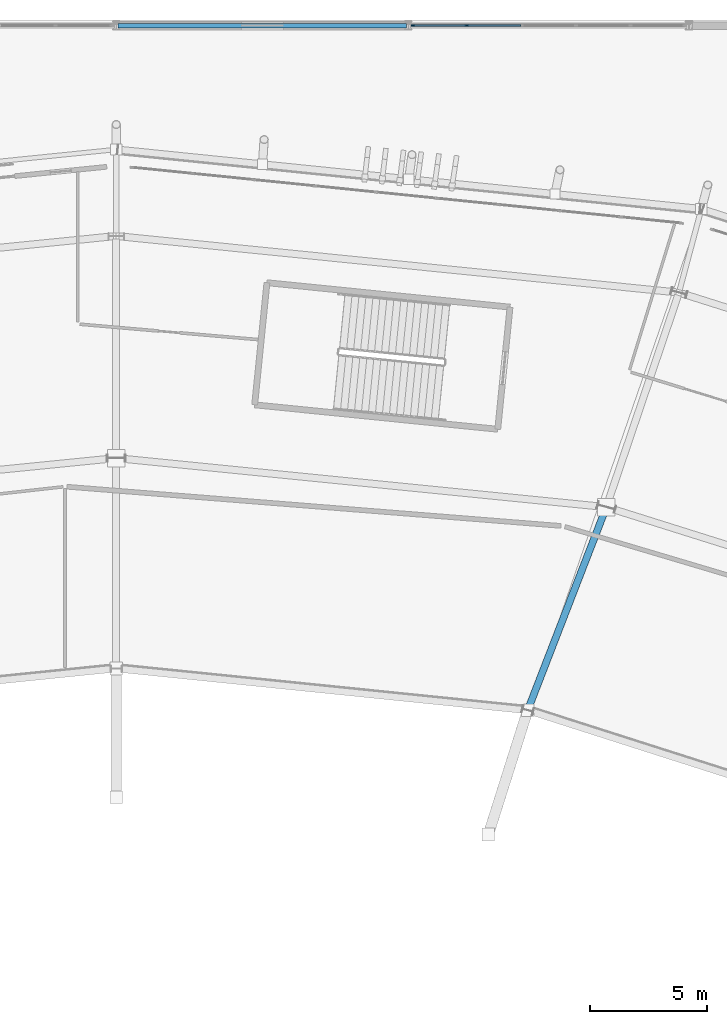
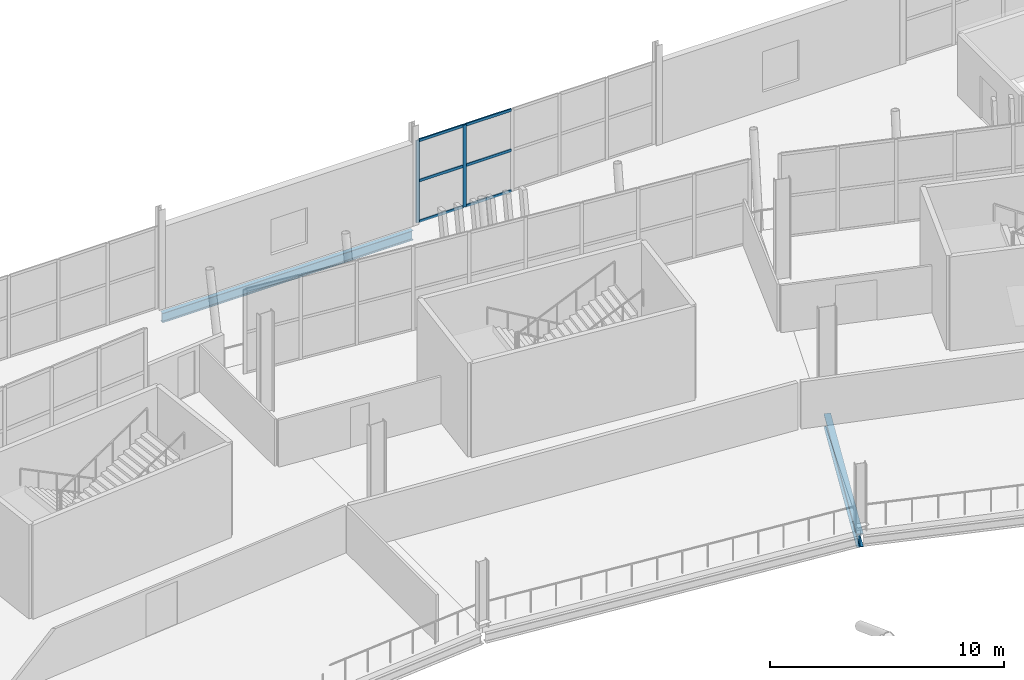
# One storey, part 74 of 168: 8 members, 2 beams, 1 element without a shape of its own.
"""IFC4 building model written with IfcOpenShell, lengths in metres."""

from ifc_helpers import new_model, si_unit, direction, frame, origin, origin_2d, place, context, subcontext, project, spatial, rectangle, i_section, extrude, material, material_profile, profile_set, type_object, element, aggregate, save


model = new_model("IFC4")

# Units and contexts
model_context = context("Model", 3, precision=1e-05, world=origin(), true_north=direction((0.0, 1.0)))
body_context = subcontext(model_context, "Body", "Model", "MODEL_VIEW")
ifc_project = project(units=[si_unit("LENGTHUNIT", "METRE"), si_unit("AREAUNIT", "SQUARE_METRE"), si_unit("VOLUMEUNIT", "CUBIC_METRE"), si_unit("PLANEANGLEUNIT", "RADIAN"), si_unit("MASSUNIT", "GRAM", prefix="KILO")], contexts=[model_context])

# Site, building, storey
site_placement = place(None, origin())
site = spatial("IfcSite", under=ifc_project, at=site_placement, CompositionType="ELEMENT")
building_placement = place(site_placement, origin())
building = spatial("IfcBuilding", under=site, at=building_placement, Name="Zlatoyarsky Gate Stadium", CompositionType="ELEMENT")
storey_placement = place(building_placement, frame((0.0, 0.0, 15.60009765625)))
storey = spatial("IfcBuildingStorey", under=building, at=storey_placement, Name="L03", CompositionType="ELEMENT", Elevation=15.60009765625)

# Curtain wall, members
ifc_material_1 = material(Name="Thermally broken anodised aluminium curtain wall", Category="aluminium")
curtain_wall_type = type_object("IfcCurtainWallType", Name="WINTER GARDEN CONSERVATORY GLAZING", PredefinedType="USERDEFINED", material=ifc_material_1)
curtain_wall_placement = place(storey_placement, origin())
curtain_wall = element("IfcCurtainWall", 1, at=curtain_wall_placement, inside=storey, type_object=curtain_wall_type, Name="Curtain wall CW-V2_NORTH-L03-155", ObjectType="UNITISED GLAZING", PredefinedType="USERDEFINED")
ifc_material_2 = material(Name="Anodised aluminium 6063-T6", Category="aluminium")
ifc_material_profile_1 = material_profile(ifc_material_2, rectangle(XDim=0.06494140625, YDim=0.159912109375, at=origin_2d()), Name="ALU 65X160")
ifc_profile_set_1 = profile_set([ifc_material_profile_1], Name="Anodised aluminium 6063-T6")
member_type_1 = type_object("IfcMemberType", Name="ALUMINIUM MULLION 65X160", PredefinedType="MULLION", material=ifc_profile_set_1)
member_1_placement = place(storey_placement, frame((123.694580078125, 160.0, 0.0), z_axis=(0.0, 0.0, 1.0), x_axis=(0.0, 1.0, 0.0)))
member_1 = element("IfcMember", 2, at=member_1_placement, type_object=member_type_1, Name="CW-WG1 mullion 1", PredefinedType="MULLION", context=body_context, shape_type="SweptSolid", body=[
    extrude(rectangle(XDim=0.06494140625, YDim=0.159912109375, at=origin_2d()), origin(), (0.0, 0.0, 1.0), 4.27978515625),
])
member_2_placement = place(storey_placement, frame((125.997314453125, 160.0, 0.0), z_axis=(0.0, 0.0, 1.0), x_axis=(0.0, 1.0, 0.0)))
member_2 = element("IfcMember", 3, at=member_2_placement, type_object=member_type_1, Name="CW-WG1 mullion 2", PredefinedType="MULLION", context=body_context, shape_type="SweptSolid", body=[
    extrude(rectangle(XDim=0.06494140625, YDim=0.159912109375, at=origin_2d()), origin(), (0.0, 0.0, 1.0), 4.27978515625),
])
ifc_material_profile_2 = material_profile(ifc_material_2, rectangle(XDim=0.06494140625, YDim=0.139892578125, at=origin_2d()), Name="ALU 65X140")
ifc_profile_set_2 = profile_set([ifc_material_profile_2], Name="Anodised aluminium 6063-T6")
member_type_2 = type_object("IfcMemberType", Name="ALUMINIUM TRANSOM 65X140", PredefinedType="USERDEFINED", material=ifc_profile_set_2)
member_3_placement = place(storey_placement, frame((123.72705078125, 160.0, 0.032470703125), z_axis=(1.0, 0.0, 0.0), x_axis=(0.0, 1.0, 0.0)))
member_3 = element("IfcMember", 4, at=member_3_placement, type_object=member_type_2, Name="CW-WG1 transom 1.1", ObjectType="TRANSOM", PredefinedType="USERDEFINED", context=body_context, shape_type="SweptSolid", body=[
    extrude(rectangle(XDim=0.06494140625, YDim=0.139892578125, at=origin_2d()), origin(), (0.0, 0.0, 1.0), 2.237548828125),
])
member_4_placement = place(storey_placement, frame((123.72705078125, 160.0, 2.14990234375), z_axis=(1.0, 0.0, 0.0), x_axis=(0.0, 1.0, 0.0)))
member_4 = element("IfcMember", 5, at=member_4_placement, type_object=member_type_2, Name="CW-WG1 transom 1.2", ObjectType="TRANSOM", PredefinedType="USERDEFINED", context=body_context, shape_type="SweptSolid", body=[
    extrude(rectangle(XDim=0.06494140625, YDim=0.139892578125, at=origin_2d()), origin(), (0.0, 0.0, 1.0), 2.237548828125),
])
member_5_placement = place(storey_placement, frame((123.72705078125, 160.0, 4.247314453125), z_axis=(1.0, 0.0, 0.0), x_axis=(0.0, 1.0, 0.0)))
member_5 = element("IfcMember", 6, at=member_5_placement, type_object=member_type_2, Name="CW-WG1 transom 1.3", ObjectType="TRANSOM", PredefinedType="USERDEFINED", context=body_context, shape_type="SweptSolid", body=[
    extrude(rectangle(XDim=0.06494140625, YDim=0.139892578125, at=origin_2d()), origin(), (0.0, 0.0, 1.0), 2.237548828125),
])
member_6_placement = place(storey_placement, frame((126.02978515625, 160.0, 0.032470703125), z_axis=(1.0, 0.0, 0.0), x_axis=(0.0, 1.0, 0.0)))
member_6 = element("IfcMember", 7, at=member_6_placement, type_object=member_type_2, Name="CW-WG1 transom 2.1", ObjectType="TRANSOM", PredefinedType="USERDEFINED", context=body_context, shape_type="SweptSolid", body=[
    extrude(rectangle(XDim=0.06494140625, YDim=0.139892578125, at=origin_2d()), origin(), (0.0, 0.0, 1.0), 2.27001953125),
])
member_7_placement = place(storey_placement, frame((126.02978515625, 160.0, 2.14990234375), z_axis=(1.0, 0.0, 0.0), x_axis=(0.0, 1.0, 0.0)))
member_7 = element("IfcMember", 8, at=member_7_placement, type_object=member_type_2, Name="CW-WG1 transom 2.2", ObjectType="TRANSOM", PredefinedType="USERDEFINED", context=body_context, shape_type="SweptSolid", body=[
    extrude(rectangle(XDim=0.06494140625, YDim=0.139892578125, at=origin_2d()), origin(), (0.0, 0.0, 1.0), 2.27001953125),
])
member_8_placement = place(storey_placement, frame((126.02978515625, 160.0, 4.247314453125), z_axis=(1.0, 0.0, 0.0), x_axis=(0.0, 1.0, 0.0)))
member_8 = element("IfcMember", 9, at=member_8_placement, type_object=member_type_2, Name="CW-WG1 transom 2.3", ObjectType="TRANSOM", PredefinedType="USERDEFINED", context=body_context, shape_type="SweptSolid", body=[
    extrude(rectangle(XDim=0.06494140625, YDim=0.139892578125, at=origin_2d()), origin(), (0.0, 0.0, 1.0), 2.27001953125),
])
aggregate(curtain_wall, [member_1, member_2, member_3, member_4, member_5, member_6, member_7, member_8])

# Beams
ifc_material_3 = material(Name="Steel S355", Category="steel")
ifc_material_profile_3 = material_profile(ifc_material_3, i_section(OverallWidth=0.199951171875, OverallDepth=0.5, WebThickness=0.01025390625, FlangeThickness=0.01611328125, FilletRadius=0.02099609375, at=origin_2d()), Name="IPE 500")
ifc_profile_set_3 = profile_set([ifc_material_profile_3], Name="Steel S355")
beam_type_1 = type_object("IfcBeamType", Name="STEEL FLOOR BEAM IPE 500", PredefinedType="BEAM", material=ifc_profile_set_3)
beam_1_placement = place(storey_placement, frame((111.080078125, 160.0, -0.530029296875), z_axis=(1.0, 0.0, 0.0), x_axis=(0.0, 1.0, 0.0)))
element("IfcBeam", 10, at=beam_1_placement, inside=storey, type_object=beam_type_1, Name="Beam B-IPE500 BM-L03-WGX-10-Q", PredefinedType="BEAM", context=body_context, shape_type="SweptSolid", body=[
    extrude(i_section(OverallWidth=0.199951171875, OverallDepth=0.5, WebThickness=0.01025390625, FlangeThickness=0.01611328125, FilletRadius=0.02099609375, at=origin_2d()), origin(), (0.0, 0.0, 1.0), 12.33984375),
])
ifc_material_profile_4 = material_profile(ifc_material_3, i_section(OverallWidth=0.300048828125, OverallDepth=0.699951171875, WebThickness=0.01708984375, FlangeThickness=0.031982421875, FilletRadius=0.027099609375, at=origin_2d()), Name="HEB 700")
ifc_profile_set_4 = profile_set([ifc_material_profile_4], Name="Steel S355")
beam_type_2 = type_object("IfcBeamType", Name="STEEL PRIMARY GIRDER HEB 700", PredefinedType="BEAM", material=ifc_profile_set_4)
beam_2_placement = place(storey_placement, frame((128.64306640625, 130.822998046875, -0.630126953125), z_axis=(0.36092924223, 0.932593202904, 0.0), x_axis=(-0.932593202904, 0.36092924223, 0.0)))
element("IfcBeam", 11, at=beam_2_placement, inside=storey, type_object=beam_type_2, Name="Beam G-HEB700 BM-L03-RAB-05", PredefinedType="BEAM", context=body_context, shape_type="SweptSolid", body=[
    extrude(i_section(OverallWidth=0.300048828125, OverallDepth=0.699951171875, WebThickness=0.01708984375, FlangeThickness=0.031982421875, FilletRadius=0.027099609375, at=origin_2d()), origin(), (0.0, 0.0, 1.0), 9.08154296875),
])

save(model, "model.ifc")
